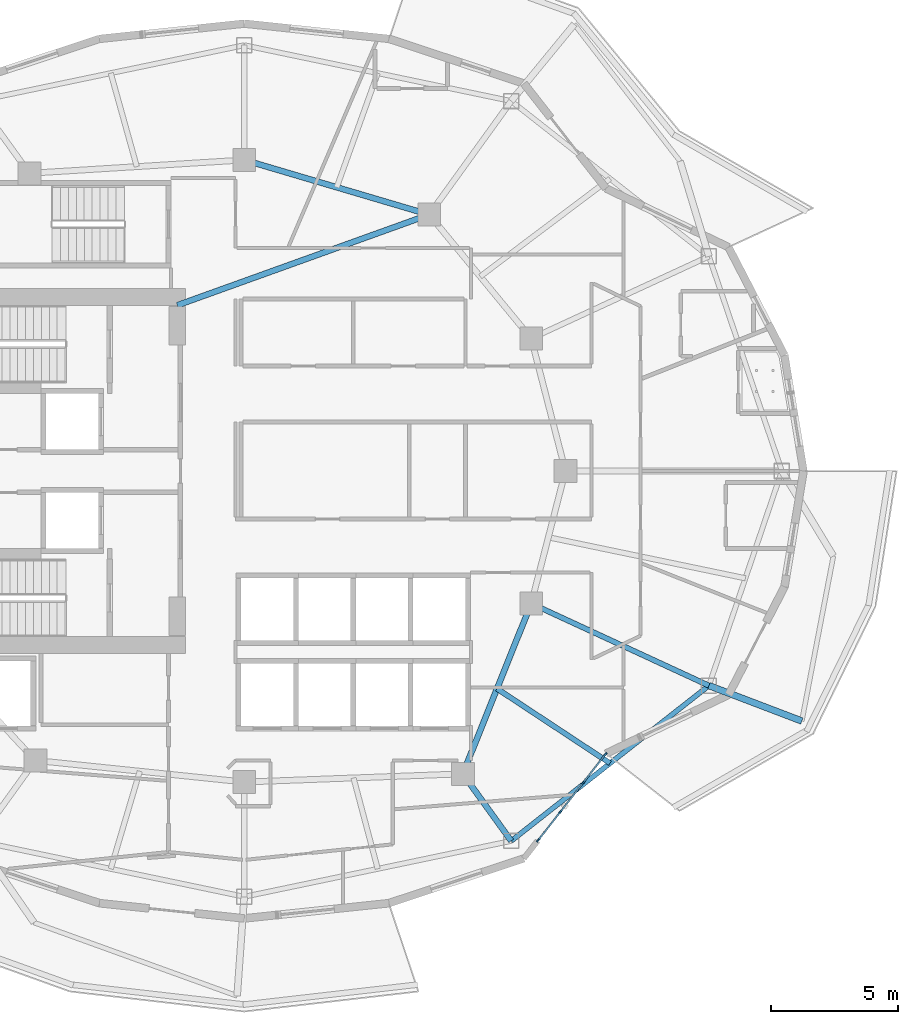
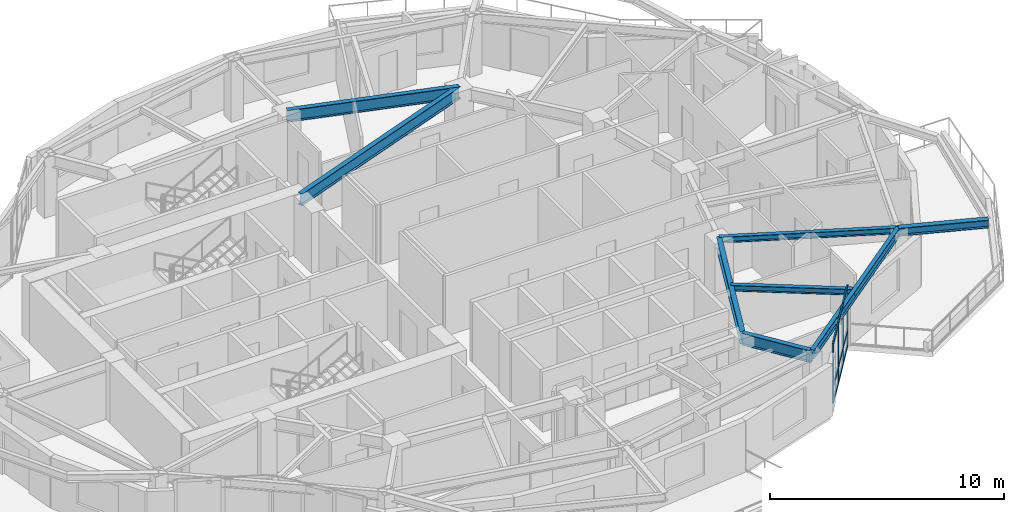
# One storey, part 4 of 19: 13 members, 8 beams, 1 element without a shape of its own.
"""IFC4 building model written with IfcOpenShell, lengths in metres."""

import ifcopenshell
import ifcopenshell.guid

model = None  # the IFC model being written
_history = None  # IfcOwnerHistory: only IFC2X3 demands one
_inside = {}  # id of a spatial element -> (the spatial element, [elements in it])
_under = {}  # id of a project, library or spatial element -> (it, [spatial elements below it])
_declared = {}  # id of a project -> (the project, [libraries it declares])
_typed = {}  # id of a type object -> (the type object, [elements of that type])
_made_of = {}  # id of a material, layer set ... -> (it, [elements and type objects made of it])


def new_model(schema):
    """Start an empty IFC model of exactly this schema.

    Asked for "IFC4X3", IfcOpenShell would pick the latest addendum, in which some entities
    have other attributes; the version numbers below select the first issue.
    IFC2X3 requires an IfcOwnerHistory on every rooted entity: one is made here for all.
    """
    global model, _history
    if schema == "IFC4X3":
        model = ifcopenshell.file(schema_version=(4, 3, 0, 0))
    else:
        model = ifcopenshell.file(schema=schema)
    _inside.clear()
    _under.clear()
    _declared.clear()
    _typed.clear()
    _made_of.clear()
    _history = None
    if model.schema == "IFC2X3":
        org = make("IfcOrganization", Name="unknown")
        user = make(
            "IfcPersonAndOrganization",
            ThePerson=make("IfcPerson", FamilyName="unknown"),
            TheOrganization=org,
        )
        app = make(
            "IfcApplication",
            ApplicationDeveloper=org,
            Version="unknown",
            ApplicationFullName="unknown",
            ApplicationIdentifier="unknown",
        )
        _history = make(
            "IfcOwnerHistory",
            OwningUser=user,
            OwningApplication=app,
            ChangeAction="ADDED",
            CreationDate=0,
        )
    return model


def make(cls, **values):
    """One entity of the class cls with the attributes given. An attribute that is None is left unset."""
    return model.create_entity(
        cls, **{name: value for name, value in values.items() if value is not None}
    )


def rooted(cls, **values):
    """An entity with a GlobalId (a new one), such as an element, a storey or a relation."""
    return make(cls, GlobalId=ifcopenshell.guid.new(), OwnerHistory=_history, **values)


def si_unit(unit_type, name, prefix=None):
    """IfcSIUnit, for example si_unit("LENGTHUNIT", "METRE", prefix="MILLI")."""
    return make("IfcSIUnit", UnitType=unit_type, Prefix=prefix, Name=name)


def assignment(units):
    """IfcUnitAssignment: the units of a project."""
    return None if units is None else make("IfcUnitAssignment", Units=units)


def point(xyz):
    """IfcCartesianPoint."""
    return None if xyz is None else make("IfcCartesianPoint", Coordinates=xyz)


def direction(xyz):
    """IfcDirection."""
    return None if xyz is None else make("IfcDirection", DirectionRatios=xyz)


def frame(location, z_axis=None, x_axis=None):
    """IfcAxis2Placement3D, a coordinate frame: its origin and axes. An axis left out is left unset."""
    return make(
        "IfcAxis2Placement3D",
        Location=point(location),
        Axis=direction(z_axis),
        RefDirection=direction(x_axis),
    )


def frame_2d(location, x_axis=None):
    """IfcAxis2Placement2D, a coordinate frame in the plane: its origin and x axis."""
    return make(
        "IfcAxis2Placement2D", Location=point(location), RefDirection=direction(x_axis)
    )


def origin():
    """The frame at (0, 0, 0) with its axes left unset."""
    return frame((0.0, 0.0, 0.0))


def origin_2d():
    """The frame at (0, 0) in the plane with its x axis left unset."""
    return frame_2d((0.0, 0.0))


def place(relative_to, where):
    """IfcLocalPlacement: puts the frame where relative to a parent placement (None: the world)."""
    return make(
        "IfcLocalPlacement", PlacementRelTo=relative_to, RelativePlacement=where
    )


def context(
    kind, dimensions, precision=None, world=None, true_north=None, identifier=None
):
    """IfcGeometricRepresentationContext, for example the 3D "Model" context."""
    return make(
        "IfcGeometricRepresentationContext",
        ContextIdentifier=identifier,
        ContextType=kind,
        CoordinateSpaceDimension=dimensions,
        Precision=precision,
        WorldCoordinateSystem=world,
        TrueNorth=true_north,
    )


def subcontext(parent, identifier, kind, view, scale=None):
    """IfcGeometricRepresentationSubContext, for example "Body" below "Model"."""
    return make(
        "IfcGeometricRepresentationSubContext",
        ContextIdentifier=identifier,
        ContextType=kind,
        ParentContext=parent,
        TargetScale=scale,
        TargetView=view,
    )


def project(units=None, contexts=None):
    """IfcProject with its units and contexts."""
    return rooted(
        "IfcProject",
        Name="project",
        RepresentationContexts=contexts,
        UnitsInContext=assignment(units),
    )


def spatial(cls, under=None, at=None, **own):
    """A site, building, storey or space (cls), placed at a placement, below another one or the project."""
    s = rooted(cls, ObjectPlacement=at, **own)
    if under is not None:
        _under.setdefault(under.id(), (under, []))[1].append(s)
    return s


def profile(cls, at=None, kind="AREA", **sizes):
    """A parametric profile (cls). Its sizes go by their IFC names, for example OverallWidth=200.0."""
    return make(cls, ProfileType=kind, Position=at, **sizes)


def rectangle(**sizes):
    """IfcRectangleProfileDef."""
    return profile("IfcRectangleProfileDef", **sizes)


def i_section(**sizes):
    """IfcIShapeProfileDef."""
    return profile("IfcIShapeProfileDef", **sizes)


def extrude(swept, where, along, depth):
    """IfcExtrudedAreaSolid: the profile swept, set in the frame where, extruded along a direction by depth."""
    return make(
        "IfcExtrudedAreaSolid",
        SweptArea=swept,
        Position=where,
        ExtrudedDirection=direction(along),
        Depth=depth,
    )


def shape(context_of_items, identifier, shape_type, items):
    """IfcShapeRepresentation: the items that make up one representation, for example the "Body"."""
    return make(
        "IfcShapeRepresentation",
        ContextOfItems=context_of_items,
        RepresentationIdentifier=identifier,
        RepresentationType=shape_type,
        Items=items,
    )


def material(Name=None, Category=None):
    """IfcMaterial."""
    return make("IfcMaterial", Name=Name, Category=Category)


def layer(
    of_material, thickness, ventilated=None, Name=None, Category=None, Priority=None
):
    """IfcMaterialLayer: one layer of a wall or slab, of a material (None: an air gap)."""
    return make(
        "IfcMaterialLayer",
        Material=of_material,
        LayerThickness=thickness,
        IsVentilated=ventilated,
        Name=Name,
        Category=Category,
        Priority=Priority,
    )


def layer_set(layers, Name=None):
    """IfcMaterialLayerSet."""
    return make("IfcMaterialLayerSet", MaterialLayers=layers, LayerSetName=Name)


def material_profile(
    of_material, cross_section, Name=None, Category=None, Priority=None
):
    """IfcMaterialProfile: a cross section and its material."""
    return make(
        "IfcMaterialProfile",
        Name=Name,
        Material=of_material,
        Profile=cross_section,
        Priority=Priority,
        Category=Category,
    )


def profile_set(profiles, Name=None, composite=None):
    """IfcMaterialProfileSet."""
    return make(
        "IfcMaterialProfileSet",
        Name=Name,
        MaterialProfiles=profiles,
        CompositeProfile=composite,
    )


def made_of(thing, what):
    """Note that an element or type object is made of a material, layer set ...; save() writes the relation."""
    if what is not None:
        _made_of.setdefault(what.id(), (what, []))[1].append(thing)
    return thing


def type_object(cls, material=None, **own):
    """A type object (cls), such as IfcWallType, which elements share."""
    return made_of(rooted(cls, **own), material)


def element(
    cls,
    number,
    at=None,
    inside=None,
    cuts=None,
    type_object=None,
    material=None,
    context=None,
    identifier="Body",
    shape_type=None,
    held_by="IfcProductDefinitionShape",
    body=None,
    shapes=None,
    **own,
):
    """One element of the class cls, such as IfcWall. Its Tag is "e" and its number.

    at: its placement. inside: the storey or other place that contains it. cuts: it is an
    opening in that element (IfcRelVoidsElement). A single representation is given by context,
    identifier, shape_type and body (its items); several are given by shapes. held_by: the class
    of the entity that holds the representations. save() writes the other relations.
    """
    e = rooted(cls, Tag="e%d" % number, ObjectPlacement=at, **own)
    if body is not None:
        shapes = [shape(context, identifier, shape_type, body)]
    if shapes is not None:
        e.Representation = make(held_by, Representations=shapes)
    if inside is not None:
        _inside.setdefault(inside.id(), (inside, []))[1].append(e)
    if cuts is not None:
        rooted(
            "IfcRelVoidsElement", RelatingBuildingElement=cuts, RelatedOpeningElement=e
        )
    if type_object is not None:
        _typed.setdefault(type_object.id(), (type_object, []))[1].append(e)
    return made_of(e, material)


def aggregate(whole, parts):
    """IfcRelAggregates: a whole, such as a stair, and the parts it consists of."""
    return rooted("IfcRelAggregates", RelatingObject=whole, RelatedObjects=parts)


def save(model, path):
    """Write the relations noted so far, then the file.

    IfcRelAggregates (storeys below a building ...), IfcRelContainedInSpatialStructure (elements
    in a storey), IfcRelDefinesByType, IfcRelAssociatesMaterial and IfcRelDeclares: one each for
    every whole, place, type object, material and project.
    """
    for whole, parts in _under.values():
        aggregate(whole, parts)
    for where, things in _inside.values():
        rooted(
            "IfcRelContainedInSpatialStructure",
            RelatedElements=things,
            RelatingStructure=where,
        )
    for kind, things in _typed.values():
        rooted("IfcRelDefinesByType", RelatedObjects=things, RelatingType=kind)
    for what, things in _made_of.values():
        rooted("IfcRelAssociatesMaterial", RelatedObjects=things, RelatingMaterial=what)
    for by, libraries in _declared.values():
        rooted("IfcRelDeclares", RelatingContext=by, RelatedDefinitions=libraries)
    model.write(path)


model = new_model("IFC4")

# Units and contexts
model_context = context("Model", 3, precision=1e-05, world=origin(), true_north=direction((0.0, 1.0)))
body_context = subcontext(model_context, "Body", "Model", "MODEL_VIEW")
ifc_project = project(units=[si_unit("LENGTHUNIT", "METRE"), si_unit("AREAUNIT", "SQUARE_METRE"), si_unit("VOLUMEUNIT", "CUBIC_METRE"), si_unit("PLANEANGLEUNIT", "RADIAN"), si_unit("MASSUNIT", "GRAM", prefix="KILO")], contexts=[model_context])

# Site, building, storey
site_placement = place(None, origin())
site = spatial("IfcSite", under=ifc_project, at=site_placement, CompositionType="ELEMENT")
building_placement = place(site_placement, origin())
building = spatial("IfcBuilding", under=site, at=building_placement, Name="Kolvaren Gate Tower and Convention Centre", CompositionType="ELEMENT")
storey_placement = place(building_placement, frame((0.0, 0.0, 163.10009765625)))
storey = spatial("IfcBuildingStorey", under=building, at=storey_placement, Name="L42", CompositionType="ELEMENT", Elevation=163.10009765625)

# Curtain wall, members
ifc_material_1 = material(Name="Anodized Architectural Aluminium Alloy 6063-T6", Category="aluminium")
ifc_layer = layer(ifc_material_1, 0.159912109375)
ifc_layer_set = layer_set([ifc_layer], Name="Anodized Architectural Aluminium Alloy 6063-T6")
curtain_wall_type = type_object("IfcCurtainWallType", Name="CW-HTL-UNIT", PredefinedType="NOTDEFINED", material=ifc_layer_set)
curtain_wall_placement = place(storey_placement, origin())
curtain_wall = element("IfcCurtainWall", 1, at=curtain_wall_placement, inside=storey, type_object=curtain_wall_type, Name="Tower L42 Unitised Curtain Wall CW-HTL-UNIT Bay 20", PredefinedType="NOTDEFINED")
ifc_material_profile_1 = material_profile(ifc_material_1, rectangle(XDim=0.06494140625, YDim=0.159912109375, at=origin_2d()), Name="CW-MEM-MUL-160")
ifc_profile_set_1 = profile_set([ifc_material_profile_1], Name="Anodized Architectural Aluminium Alloy 6063-T6")
member_type_1 = type_object("IfcMemberType", Name="CW-MEM-MUL-160", PredefinedType="MULLION", material=ifc_profile_set_1)
member_1_placement = place(storey_placement, frame((41.65380859375, 12.5166015625, 0.0), z_axis=(0.0, 0.0, 1.0), x_axis=(-0.787403535469, 0.616437890084, 0.0)))
member_1 = element("IfcMember", 2, at=member_1_placement, type_object=member_type_1, Name="CW-03 mullion 1", PredefinedType="MULLION", context=body_context, shape_type="SweptSolid", body=[
    extrude(rectangle(XDim=0.06494140625, YDim=0.159912109375, at=origin_2d()), origin(), (0.0, 0.0, 1.0), 3.1298828125),
])
member_2_placement = place(storey_placement, frame((42.527099609375, 13.632080078125, 0.0), z_axis=(0.0, 0.0, 1.0), x_axis=(-0.787403535469, 0.616437890084, 0.0)))
member_2 = element("IfcMember", 3, at=member_2_placement, type_object=member_type_1, Name="CW-03 mullion 2", PredefinedType="MULLION", context=body_context, shape_type="SweptSolid", body=[
    extrude(rectangle(XDim=0.06494140625, YDim=0.159912109375, at=origin_2d()), origin(), (0.0, 0.0, 1.0), 3.1298828125),
])
member_3_placement = place(storey_placement, frame((43.420166015625, 14.77294921875, 0.0), z_axis=(0.0, 0.0, 1.0), x_axis=(-0.787403535469, 0.616437890084, 0.0)))
member_3 = element("IfcMember", 4, at=member_3_placement, type_object=member_type_1, Name="CW-03 mullion 3", PredefinedType="MULLION", context=body_context, shape_type="SweptSolid", body=[
    extrude(rectangle(XDim=0.06494140625, YDim=0.159912109375, at=origin_2d()), origin(), (0.0, 0.0, 1.0), 3.1298828125),
])
member_4_placement = place(storey_placement, frame((44.29345703125, 15.888427734375, 0.0), z_axis=(0.0, 0.0, 1.0), x_axis=(-0.787403535469, 0.616437890084, 0.0)))
member_4 = element("IfcMember", 5, at=member_4_placement, type_object=member_type_1, Name="CW-03 mullion 4", PredefinedType="MULLION", context=body_context, shape_type="SweptSolid", body=[
    extrude(rectangle(XDim=0.06494140625, YDim=0.159912109375, at=origin_2d()), origin(), (0.0, 0.0, 1.0), 3.1298828125),
])
ifc_material_profile_2 = material_profile(ifc_material_1, rectangle(XDim=0.06494140625, YDim=0.159912109375, at=origin_2d()), Name="CW-MEM-TRN-160")
ifc_profile_set_2 = profile_set([ifc_material_profile_2], Name="Anodized Architectural Aluminium Alloy 6063-T6")
member_type_2 = type_object("IfcMemberType", Name="CW-MEM-TRN-160", PredefinedType="USERDEFINED", material=ifc_profile_set_2)
member_5_placement = place(storey_placement, frame((41.673828125, 12.542236328125, 0.032470703125), z_axis=(0.616488451497, 0.787363949626, 0.0), x_axis=(-0.787363949626, 0.616488451497, 0.0)))
member_5 = element("IfcMember", 6, at=member_5_placement, type_object=member_type_2, Name="CW-03 transom 1.1", ObjectType="TRANSOM", PredefinedType="USERDEFINED", context=body_context, shape_type="SweptSolid", body=[
    extrude(rectangle(XDim=0.06494140625, YDim=0.159912109375, at=origin_2d()), origin(), (0.0, 0.0, 1.0), 1.3515625),
])
member_6_placement = place(storey_placement, frame((41.673828125, 12.542236328125, 0.849853515625), z_axis=(0.616488451497, 0.787363949626, 0.0), x_axis=(-0.787363949626, 0.616488451497, 0.0)))
member_6 = element("IfcMember", 7, at=member_6_placement, type_object=member_type_2, Name="CW-03 transom 1.2", ObjectType="TRANSOM", PredefinedType="USERDEFINED", context=body_context, shape_type="SweptSolid", body=[
    extrude(rectangle(XDim=0.06494140625, YDim=0.159912109375, at=origin_2d()), origin(), (0.0, 0.0, 1.0), 1.3515625),
])
member_7_placement = place(storey_placement, frame((41.673828125, 12.542236328125, 3.097412109375), z_axis=(0.616488451497, 0.787363949626, 0.0), x_axis=(-0.787363949626, 0.616488451497, 0.0)))
member_7 = element("IfcMember", 8, at=member_7_placement, type_object=member_type_2, Name="CW-03 transom 1.3", ObjectType="TRANSOM", PredefinedType="USERDEFINED", context=body_context, shape_type="SweptSolid", body=[
    extrude(rectangle(XDim=0.06494140625, YDim=0.159912109375, at=origin_2d()), origin(), (0.0, 0.0, 1.0), 1.3515625),
])
member_8_placement = place(storey_placement, frame((42.547119140625, 13.65771484375, 0.032470703125), z_axis=(0.616355825524, 0.787467774796, 0.0), x_axis=(-0.787467774796, 0.616355825524, 0.0)))
member_8 = element("IfcMember", 9, at=member_8_placement, type_object=member_type_2, Name="CW-03 transom 2.1", ObjectType="TRANSOM", PredefinedType="USERDEFINED", context=body_context, shape_type="SweptSolid", body=[
    extrude(rectangle(XDim=0.06494140625, YDim=0.159912109375, at=origin_2d()), origin(), (0.0, 0.0, 1.0), 1.384033203125),
])
member_9_placement = place(storey_placement, frame((42.547119140625, 13.65771484375, 0.849853515625), z_axis=(0.616355825524, 0.787467774796, 0.0), x_axis=(-0.787467774796, 0.616355825524, 0.0)))
member_9 = element("IfcMember", 10, at=member_9_placement, type_object=member_type_2, Name="CW-03 transom 2.2", ObjectType="TRANSOM", PredefinedType="USERDEFINED", context=body_context, shape_type="SweptSolid", body=[
    extrude(rectangle(XDim=0.06494140625, YDim=0.159912109375, at=origin_2d()), origin(), (0.0, 0.0, 1.0), 1.384033203125),
])
member_10_placement = place(storey_placement, frame((42.547119140625, 13.65771484375, 3.097412109375), z_axis=(0.616355825524, 0.787467774796, 0.0), x_axis=(-0.787467774796, 0.616355825524, 0.0)))
member_10 = element("IfcMember", 11, at=member_10_placement, type_object=member_type_2, Name="CW-03 transom 2.3", ObjectType="TRANSOM", PredefinedType="USERDEFINED", context=body_context, shape_type="SweptSolid", body=[
    extrude(rectangle(XDim=0.06494140625, YDim=0.159912109375, at=origin_2d()), origin(), (0.0, 0.0, 1.0), 1.384033203125),
])
member_11_placement = place(storey_placement, frame((43.440185546875, 14.798583984375, 0.032470703125), z_axis=(0.616488451497, 0.787363949626, 0.0), x_axis=(-0.787363949626, 0.616488451497, 0.0)))
member_11 = element("IfcMember", 12, at=member_11_placement, type_object=member_type_2, Name="CW-03 transom 3.1", ObjectType="TRANSOM", PredefinedType="USERDEFINED", context=body_context, shape_type="SweptSolid", body=[
    extrude(rectangle(XDim=0.06494140625, YDim=0.159912109375, at=origin_2d()), origin(), (0.0, 0.0, 1.0), 1.3515625),
])
member_12_placement = place(storey_placement, frame((43.440185546875, 14.798583984375, 0.849853515625), z_axis=(0.616488451497, 0.787363949626, 0.0), x_axis=(-0.787363949626, 0.616488451497, 0.0)))
member_12 = element("IfcMember", 13, at=member_12_placement, type_object=member_type_2, Name="CW-03 transom 3.2", ObjectType="TRANSOM", PredefinedType="USERDEFINED", context=body_context, shape_type="SweptSolid", body=[
    extrude(rectangle(XDim=0.06494140625, YDim=0.159912109375, at=origin_2d()), origin(), (0.0, 0.0, 1.0), 1.3515625),
])
member_13_placement = place(storey_placement, frame((43.440185546875, 14.798583984375, 3.097412109375), z_axis=(0.616488451497, 0.787363949626, 0.0), x_axis=(-0.787363949626, 0.616488451497, 0.0)))
member_13 = element("IfcMember", 14, at=member_13_placement, type_object=member_type_2, Name="CW-03 transom 3.3", ObjectType="TRANSOM", PredefinedType="USERDEFINED", context=body_context, shape_type="SweptSolid", body=[
    extrude(rectangle(XDim=0.06494140625, YDim=0.159912109375, at=origin_2d()), origin(), (0.0, 0.0, 1.0), 1.3515625),
])
aggregate(curtain_wall, [member_1, member_2, member_3, member_4, member_5, member_6, member_7, member_8, member_9, member_10, member_11, member_12, member_13])

# Beams
ifc_material_2 = material(Name="Structural steel ASTM A992 Grade 345 MPa", Category="steel")
ifc_material_profile_3 = material_profile(ifc_material_2, i_section(OverallWidth=0.260009765625, OverallDepth=0.419921875, WebThickness=0.013427734375, FlangeThickness=0.0224609375, at=origin_2d()), Name="W410X132")
ifc_profile_set_3 = profile_set([ifc_material_profile_3], Name="Structural steel ASTM A992 Grade 345 MPa")
beam_type_1 = type_object("IfcBeamType", Name="STR-BM-W410X132", PredefinedType="BEAM", material=ifc_profile_set_3)
beam_1_placement = place(storey_placement, frame((48.351806640625, 18.581298828125, 2.92041015625), z_axis=(0.934406389152, -0.356208786967, 0.0), x_axis=(0.356208786967, 0.934406389152, 0.0)))
element("IfcBeam", 15, at=beam_1_placement, inside=storey, type_object=beam_type_1, Name="Tower L43 Planted Balcony Outrigger Cantilever BC-4A", PredefinedType="BEAM", context=body_context, shape_type="SweptSolid", body=[
    extrude(i_section(OverallWidth=0.260009765625, OverallDepth=0.419921875, WebThickness=0.013427734375, FlangeThickness=0.0224609375, at=origin_2d()), origin(), (0.0, 0.0, 1.0), 3.89990234375),
])
ifc_material_profile_4 = material_profile(ifc_material_2, i_section(OverallWidth=0.22998046875, OverallDepth=0.616943359375, WebThickness=0.01318359375, FlangeThickness=0.022216796875, at=origin_2d()), Name="W610X140")
ifc_profile_set_4 = profile_set([ifc_material_profile_4], Name="Structural steel ASTM A992 Grade 345 MPa")
beam_type_2 = type_object("IfcBeamType", Name="STR-BM-W610X140", PredefinedType="BEAM", material=ifc_profile_set_4)
beam_2_placement = place(storey_placement, frame((37.381591796875, 37.054931640625, 2.8212890625), z_axis=(-0.958980837827, 0.283470902706, 0.0), x_axis=(-0.283470902706, -0.958980837827, 0.0)))
element("IfcBeam", 16, at=beam_2_placement, inside=storey, type_object=beam_type_2, Name="Tower L42 Primary Ring Girder G-03", PredefinedType="BEAM", context=body_context, shape_type="SweptSolid", body=[
    extrude(i_section(OverallWidth=0.22998046875, OverallDepth=0.616943359375, WebThickness=0.01318359375, FlangeThickness=0.022216796875, at=origin_2d()), origin(), (0.0, 0.0, 1.0), 7.56689453125),
])
beam_3_placement = place(storey_placement, frame((38.6982421875, 15.12060546875, 2.8212890625), z_axis=(0.372811100169, 0.927907260232, 0.0), x_axis=(-0.927907260232, 0.372811100169, 0.0)))
element("IfcBeam", 17, at=beam_3_placement, inside=storey, type_object=beam_type_2, Name="Tower L42 Primary Ring Girder G-09", PredefinedType="BEAM", context=body_context, shape_type="SweptSolid", body=[
    extrude(i_section(OverallWidth=0.22998046875, OverallDepth=0.616943359375, WebThickness=0.01318359375, FlangeThickness=0.022216796875, at=origin_2d()), origin(), (0.0, 0.0, 1.0), 7.198974609375),
])
beam_4_placement = place(storey_placement, frame((27.5, 33.5, 2.8212890625), z_axis=(0.940961479908, 0.338513653093, 0.0), x_axis=(-0.338513653093, 0.940961479908, 0.0)))
element("IfcBeam", 18, at=beam_4_placement, inside=storey, type_object=beam_type_2, Name="Tower L42 Primary Ring Girder G-10", PredefinedType="BEAM", context=body_context, shape_type="SweptSolid", body=[
    extrude(i_section(OverallWidth=0.22998046875, OverallDepth=0.616943359375, WebThickness=0.01318359375, FlangeThickness=0.022216796875, at=origin_2d()), origin(), (0.0, 0.0, 1.0), 10.501708984375),
])
beam_5_placement = place(storey_placement, frame((38.6982421875, 15.12060546875, 2.8212890625), z_axis=(0.58521845229, -0.810875676722, 0.0), x_axis=(0.810875676722, 0.58521845229, 0.0)))
element("IfcBeam", 19, at=beam_5_placement, inside=storey, type_object=beam_type_2, Name="Tower L42 Radial Floor Girder RB-11", PredefinedType="BEAM", context=body_context, shape_type="SweptSolid", body=[
    extrude(i_section(OverallWidth=0.22998046875, OverallDepth=0.616943359375, WebThickness=0.01318359375, FlangeThickness=0.022216796875, at=origin_2d()), origin(), (0.0, 0.0, 1.0), 3.24365234375),
])
ifc_material_profile_5 = material_profile(ifc_material_2, i_section(OverallWidth=0.205078125, OverallDepth=0.31005859375, WebThickness=0.009521484375, FlangeThickness=0.016357421875, at=origin_2d()), Name="W310X74")
ifc_profile_set_5 = profile_set([ifc_material_profile_5], Name="Structural steel ASTM A992 Grade 345 MPa")
beam_type_3 = type_object("IfcBeamType", Name="STR-JS-W310X74", PredefinedType="JOIST", material=ifc_profile_set_5)
beam_6_placement = place(storey_placement, frame((41.382080078125, 21.800537109375, 2.974853515625), z_axis=(0.907838349939, -0.419320319542, 0.0), x_axis=(0.419320319542, 0.907838349939, 0.0)))
element("IfcBeam", 20, at=beam_6_placement, inside=storey, type_object=beam_type_3, Name="Tower L42 Radial Floor Girder RB-12", PredefinedType="JOIST", context=body_context, shape_type="SweptSolid", body=[
    extrude(i_section(OverallWidth=0.205078125, OverallDepth=0.31005859375, WebThickness=0.009521484375, FlangeThickness=0.016357421875, at=origin_2d()), origin(), (0.0, 0.0, 1.0), 7.67724609375),
])
beam_7_placement = place(storey_placement, frame((40.040283203125, 18.46044921875, 2.974853515625), z_axis=(0.834762790112, -0.550609738602, 0.0), x_axis=(0.550609738602, 0.834762790112, 0.0)))
element("IfcBeam", 21, at=beam_7_placement, inside=storey, type_object=beam_type_3, Name="Tower L42 Secondary Composite Floor Joist J-11.1", PredefinedType="JOIST", context=body_context, shape_type="SweptSolid", body=[
    extrude(i_section(OverallWidth=0.205078125, OverallDepth=0.31005859375, WebThickness=0.009521484375, FlangeThickness=0.016357421875, at=origin_2d()), origin(), (0.0, 0.0, 1.0), 5.3115234375),
])
ifc_material_profile_6 = material_profile(ifc_material_2, i_section(OverallWidth=0.194091796875, OverallDepth=0.468994140625, WebThickness=0.0126953125, FlangeThickness=0.0205078125, at=origin_2d()), Name="W460X106")
ifc_profile_set_6 = profile_set([ifc_material_profile_6], Name="Structural steel ASTM A992 Grade 345 MPa")
beam_type_4 = type_object("IfcBeamType", Name="STR-SP-W460X106", PredefinedType="SPANDREL", material=ifc_profile_set_6)
beam_8_placement = place(storey_placement, frame((40.596435546875, 12.490478515625, 2.8955078125), z_axis=(0.786450621777, 0.617653154697, 0.0), x_axis=(-0.617653154697, 0.786450621777, 0.0)))
element("IfcBeam", 22, at=beam_8_placement, inside=storey, type_object=beam_type_4, Name="Tower L42 Perimeter Spandrel Beam SP-11", PredefinedType="SPANDREL", context=body_context, shape_type="SweptSolid", body=[
    extrude(i_section(OverallWidth=0.194091796875, OverallDepth=0.468994140625, WebThickness=0.0126953125, FlangeThickness=0.0205078125, at=origin_2d()), origin(), (0.0, 0.0, 1.0), 9.861328125),
])

save(model, "model.ifc")
